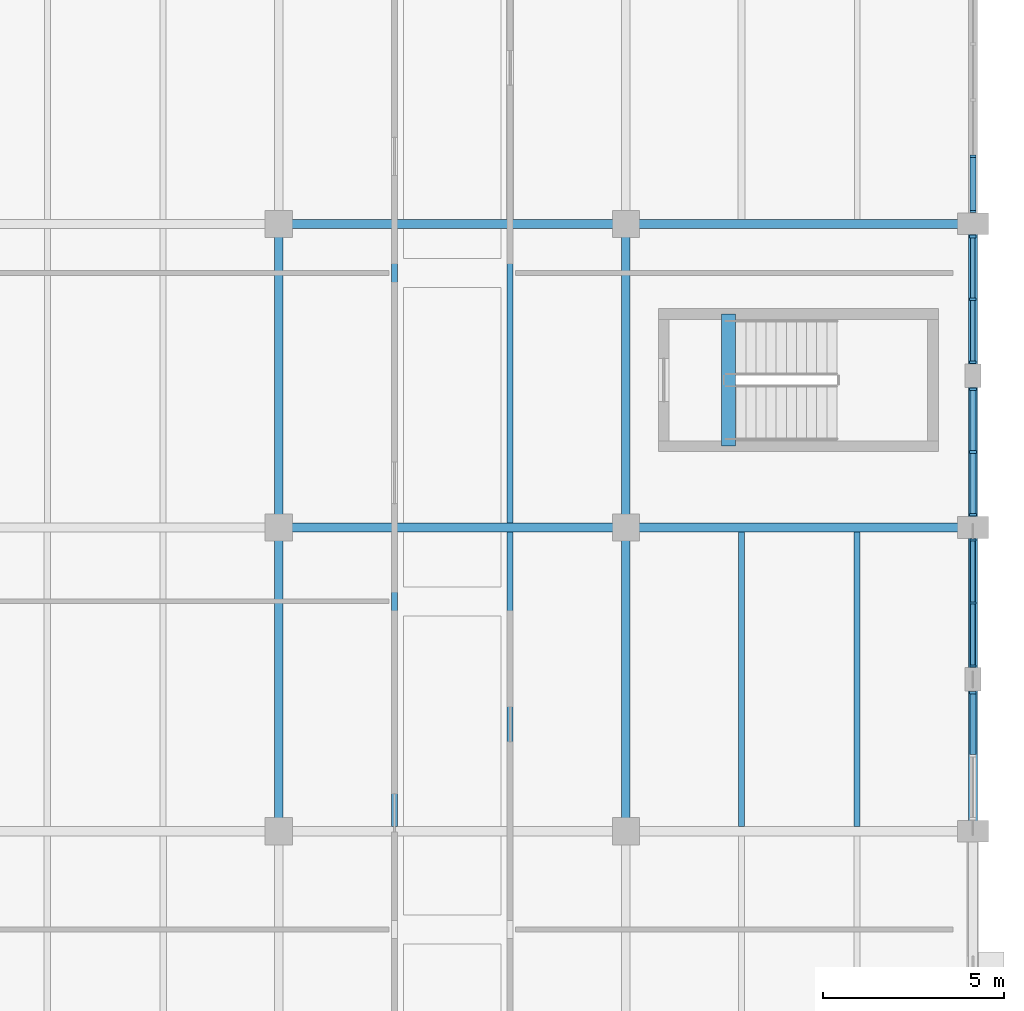
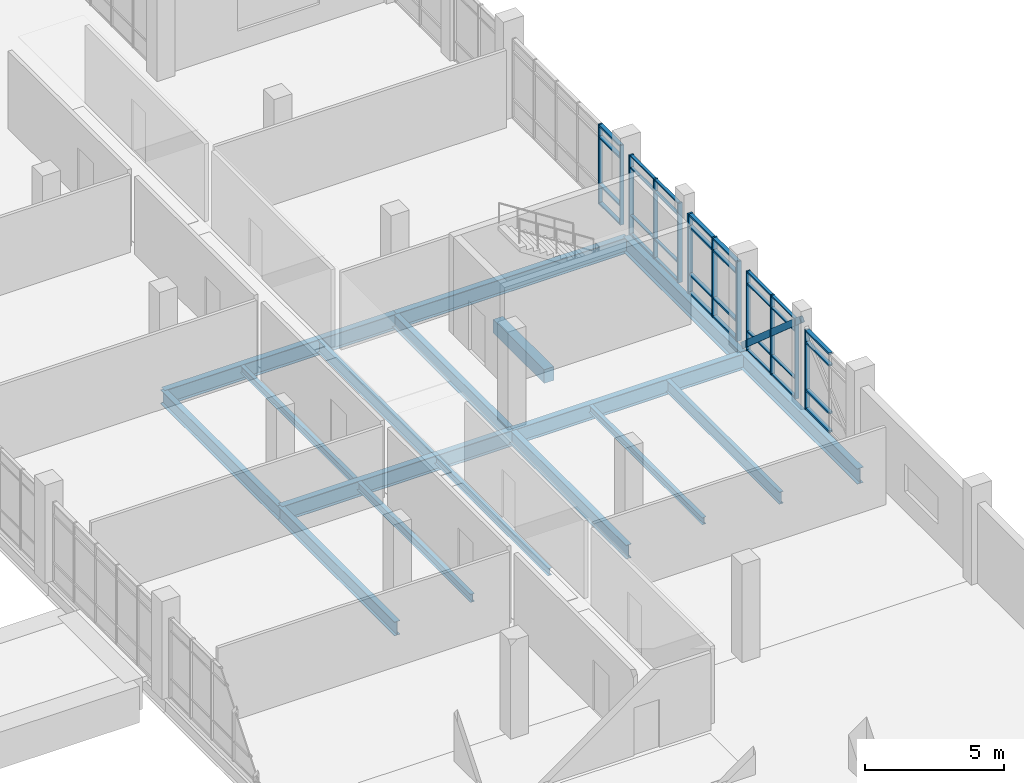
# One storey, part 30 of 86: 45 members, 17 beams, 5 elements without a shape of their own.
"""IFC4 building model written with IfcOpenShell, lengths in metres."""

from ifc_helpers import new_model, si_unit, direction, frame, origin, origin_2d, place, context, subcontext, project, spatial, rectangle, hollow_rectangle, i_section, extrude, material, material_profile, profile_set, type_object, element, aggregate, save


model = new_model("IFC4")

# Units and contexts
model_context = context("Model", 3, precision=1e-05, world=origin(), true_north=direction((0.0, 1.0)))
body_context = subcontext(model_context, "Body", "Model", "MODEL_VIEW")
ifc_project = project(units=[si_unit("LENGTHUNIT", "METRE"), si_unit("AREAUNIT", "SQUARE_METRE"), si_unit("VOLUMEUNIT", "CUBIC_METRE"), si_unit("PLANEANGLEUNIT", "RADIAN"), si_unit("MASSUNIT", "GRAM", prefix="KILO")], contexts=[model_context])

# Site, building, storey
site_placement = place(None, origin())
site = spatial("IfcSite", under=ifc_project, at=site_placement, CompositionType="ELEMENT")
building_placement = place(site_placement, origin())
building = spatial("IfcBuilding", under=site, at=building_placement, Name="Oolite Switchyard Hospital", CompositionType="ELEMENT")
storey_placement = place(building_placement, frame((0.0, 0.0, 13.5)))
storey = spatial("IfcBuildingStorey", under=building, at=storey_placement, Name="L03", CompositionType="ELEMENT", Elevation=13.5)

# Beams
ifc_material_1 = material(Name="Concrete C40/50", Category="concrete")
ifc_material_profile_1 = material_profile(ifc_material_1, rectangle(XDim=0.39990234375, YDim=0.60009765625, at=origin_2d()), Name="RCB400X600")
ifc_profile_set_1 = profile_set([ifc_material_profile_1], Name="Concrete C40/50")
beam_type_1 = type_object("IfcBeamType", Name="BM-RC400X600", PredefinedType="BEAM", material=ifc_profile_set_1)
beam_1_placement = place(storey_placement, frame((204.43994140625, 44.25, -0.300048828125), z_axis=(0.0, 1.0, 0.0), x_axis=(-1.0, 0.0, 0.0)))
element("IfcBeam", 1, at=beam_1_placement, inside=storey, type_object=beam_type_1, Name="L03 ST-06 Stair Throat Trimmer Beam", PredefinedType="BEAM", context=body_context, shape_type="SweptSolid", body=[
    extrude(rectangle(XDim=0.39990234375, YDim=0.60009765625, at=origin_2d()), origin(), (0.0, 0.0, 1.0), 3.659912109375),
])
ifc_material_2 = material(Name="Steel ASTM A992 Grade 50", Category="steel")
ifc_material_profile_2 = material_profile(ifc_material_2, i_section(OverallWidth=0.1650390625, OverallDepth=0.31005859375, WebThickness=0.006103515625, FlangeThickness=0.010009765625, at=origin_2d()), Name="W12X26")
ifc_profile_set_2 = profile_set([ifc_material_profile_2], Name="Steel ASTM A992 Grade 50")
beam_type_2 = type_object("IfcBeamType", Name="BM-W12X26", PredefinedType="JOIST", material=ifc_profile_set_2)
for number, where, z_axis, x_axis, name in (
    (2, (198.39990234375, 33.72705078125, -0.429931640625), (0.0, 1.0, 0.0), (-1.0, 0.0, 0.0), "L03 Secondary Steel Joist 2723"),
    (3, (195.199951171875, 42.126953125, -0.429931640625), (0.0, 1.0, 0.0), (-1.0, 0.0, 0.0), "L03 Secondary Steel Joist 2724"),
    (4, (204.800048828125, 33.72705078125, -0.429931640625), (0.0, 1.0, 0.0), (-1.0, 0.0, 0.0), "L03 Secondary Steel Joist 2742"),
):
    element("IfcBeam", number, at=place(storey_placement, frame(where, z_axis=z_axis, x_axis=x_axis)), inside=storey, type_object=beam_type_2, Name=name, PredefinedType="JOIST", context=body_context, shape_type="SweptSolid", body=[
        extrude(i_section(OverallWidth=0.1650390625, OverallDepth=0.31005859375, WebThickness=0.006103515625, FlangeThickness=0.010009765625, at=origin_2d()), origin(), (0.0, 0.0, 1.0), 8.14599609375),
    ])
ifc_material_profile_3 = material_profile(ifc_material_2, i_section(OverallWidth=0.1708984375, OverallDepth=0.35107421875, WebThickness=0.007080078125, FlangeThickness=0.010009765625, at=origin_2d()), Name="W14X30")
ifc_profile_set_3 = profile_set([ifc_material_profile_3], Name="Steel ASTM A992 Grade 50")
beam_type_3 = type_object("IfcBeamType", Name="BM-W14X30", PredefinedType="JOIST", material=ifc_profile_set_3)
beam_2_placement = place(storey_placement, frame((195.199951171875, 33.72705078125, -0.449951171875), z_axis=(0.0, 1.0, 0.0), x_axis=(-1.0, 0.0, 0.0)))
element("IfcBeam", 5, at=beam_2_placement, inside=storey, type_object=beam_type_3, Name="L03 Secondary Steel Joist 2722", PredefinedType="JOIST", context=body_context, shape_type="SweptSolid", body=[
    extrude(i_section(OverallWidth=0.1708984375, OverallDepth=0.35107421875, WebThickness=0.007080078125, FlangeThickness=0.010009765625, at=origin_2d()), origin(), (0.0, 0.0, 1.0), 8.14599609375),
])
ifc_material_profile_4 = material_profile(ifc_material_2, i_section(OverallWidth=0.166015625, OverallDepth=0.529052734375, WebThickness=0.010009765625, FlangeThickness=0.013916015625, at=origin_2d()), Name="W21X50")
ifc_profile_set_4 = profile_set([ifc_material_profile_4], Name="Steel ASTM A992 Grade 50")
beam_type_4 = type_object("IfcBeamType", Name="BM-W21X50", PredefinedType="JOIST", material=ifc_profile_set_4)
for number, where, z_axis, x_axis, name in (
    (6, (198.39990234375, 42.126953125, -0.5400390625), (0.0, 1.0, 0.0), (-1.0, 0.0, 0.0), "L03 Secondary Steel Joist 2725"),
    (7, (208.0, 33.72705078125, -0.5400390625), (0.0, 1.0, 0.0), (-1.0, 0.0, 0.0), "L03 Secondary Steel Joist 2743"),
):
    element("IfcBeam", number, at=place(storey_placement, frame(where, z_axis=z_axis, x_axis=x_axis)), inside=storey, type_object=beam_type_4, Name=name, PredefinedType="JOIST", context=body_context, shape_type="SweptSolid", body=[
        extrude(i_section(OverallWidth=0.166015625, OverallDepth=0.529052734375, WebThickness=0.010009765625, FlangeThickness=0.013916015625, at=origin_2d()), origin(), (0.0, 0.0, 1.0), 8.14599609375),
    ])
ifc_material_profile_5 = material_profile(ifc_material_2, i_section(OverallWidth=0.22900390625, OverallDepth=0.612060546875, WebThickness=0.011962890625, FlangeThickness=0.02001953125, at=origin_2d()), Name="W24X84")
ifc_profile_set_5 = profile_set([ifc_material_profile_5], Name="Steel ASTM A992 Grade 50")
beam_type_5 = type_object("IfcBeamType", Name="BM-W24X84", PredefinedType="BEAM", material=ifc_profile_set_5)
for number, where, z_axis, x_axis, name in (
    (8, (192.0, 33.60009765625, -0.5810546875), (0.0, 1.0, 0.0), (-1.0, 0.0, 0.0), "L03 Y-Girder 2363"),
    (9, (192.0, 42.0, -0.5810546875), (0.0, 1.0, 0.0), (-1.0, 0.0, 0.0), "L03 Y-Girder 2364"),
    (10, (201.60009765625, 33.60009765625, -0.5810546875), (0.0, 1.0, 0.0), (-1.0, 0.0, 0.0), "L03 Y-Girder 2375"),
    (11, (201.60009765625, 42.0, -0.5810546875), (0.0, 1.0, 0.0), (-1.0, 0.0, 0.0), "L03 Y-Girder 2376"),
):
    element("IfcBeam", number, at=place(storey_placement, frame(where, z_axis=z_axis, x_axis=x_axis)), inside=storey, type_object=beam_type_5, Name=name, PredefinedType="BEAM", context=body_context, shape_type="SweptSolid", body=[
        extrude(i_section(OverallWidth=0.22900390625, OverallDepth=0.612060546875, WebThickness=0.011962890625, FlangeThickness=0.02001953125, at=origin_2d()), origin(), (0.0, 0.0, 1.0), 8.39990234375),
    ])
ifc_material_profile_6 = material_profile(ifc_material_2, i_section(OverallWidth=0.25390625, OverallDepth=0.68408203125, WebThickness=0.011962890625, FlangeThickness=0.01904296875, at=origin_2d()), Name="W27X94")
ifc_profile_set_6 = profile_set([ifc_material_profile_6], Name="Steel ASTM A992 Grade 50")
beam_type_6 = type_object("IfcBeamType", Name="BM-W27X94", PredefinedType="BEAM", material=ifc_profile_set_6)
beam_3_placement = place(storey_placement, frame((192.0, 42.0, -0.616943359375), z_axis=(1.0, 0.0, 0.0), x_axis=(0.0, 1.0, 0.0)))
element("IfcBeam", 12, at=beam_3_placement, inside=storey, type_object=beam_type_6, Name="L03 X-Girder 1973", PredefinedType="BEAM", context=body_context, shape_type="SweptSolid", body=[
    extrude(i_section(OverallWidth=0.25390625, OverallDepth=0.68408203125, WebThickness=0.011962890625, FlangeThickness=0.01904296875, at=origin_2d()), origin(), (0.0, 0.0, 1.0), 9.60009765625),
])
beam_4_placement = place(storey_placement, frame((201.60009765625, 42.0, -0.616943359375), z_axis=(1.0, 0.0, 0.0), x_axis=(0.0, 1.0, 0.0)))
element("IfcBeam", 13, at=beam_4_placement, inside=storey, type_object=beam_type_6, Name="L03 X-Girder 1974", PredefinedType="BEAM", context=body_context, shape_type="SweptSolid", body=[
    extrude(i_section(OverallWidth=0.25390625, OverallDepth=0.68408203125, WebThickness=0.011962890625, FlangeThickness=0.01904296875, at=origin_2d()), origin(), (0.0, 0.0, 1.0), 9.599853515625),
])
beam_5_placement = place(storey_placement, frame((192.0, 50.39990234375, -0.616943359375), z_axis=(1.0, 0.0, 0.0), x_axis=(0.0, 1.0, 0.0)))
element("IfcBeam", 14, at=beam_5_placement, inside=storey, type_object=beam_type_6, Name="L03 X-Girder 1989", PredefinedType="BEAM", context=body_context, shape_type="SweptSolid", body=[
    extrude(i_section(OverallWidth=0.25390625, OverallDepth=0.68408203125, WebThickness=0.011962890625, FlangeThickness=0.01904296875, at=origin_2d()), origin(), (0.0, 0.0, 1.0), 9.60009765625),
])
beam_6_placement = place(storey_placement, frame((201.60009765625, 50.39990234375, -0.616943359375), z_axis=(1.0, 0.0, 0.0), x_axis=(0.0, 1.0, 0.0)))
element("IfcBeam", 15, at=beam_6_placement, inside=storey, type_object=beam_type_6, Name="L03 X-Girder 1990", PredefinedType="BEAM", context=body_context, shape_type="SweptSolid", body=[
    extrude(i_section(OverallWidth=0.25390625, OverallDepth=0.68408203125, WebThickness=0.011962890625, FlangeThickness=0.01904296875, at=origin_2d()), origin(), (0.0, 0.0, 1.0), 9.599853515625),
])
for number, where, z_axis, x_axis, name in (
    (16, (211.199951171875, 33.60009765625, -0.616943359375), (0.0, 1.0, 0.0), (-1.0, 0.0, 0.0), "L03 Y-Girder 2386"),
    (17, (211.199951171875, 42.0, -0.616943359375), (0.0, 1.0, 0.0), (-1.0, 0.0, 0.0), "L03 Y-Girder 2387"),
):
    element("IfcBeam", number, at=place(storey_placement, frame(where, z_axis=z_axis, x_axis=x_axis)), inside=storey, type_object=beam_type_6, Name=name, PredefinedType="BEAM", context=body_context, shape_type="SweptSolid", body=[
        extrude(i_section(OverallWidth=0.25390625, OverallDepth=0.68408203125, WebThickness=0.011962890625, FlangeThickness=0.01904296875, at=origin_2d()), origin(), (0.0, 0.0, 1.0), 8.39990234375),
    ])

# Curtain wall, members
ifc_material_3 = material(Name="Thermally broken aluminum frame with laminated impact glazing", Category="aluminium")
curtain_wall_type = type_object("IfcCurtainWallType", Name="CW-UNIT-84X43", PredefinedType="USERDEFINED", material=ifc_material_3)
curtain_wall_1_placement = place(storey_placement, origin())
curtain_wall_1 = element("IfcCurtainWall", 18, at=curtain_wall_1_placement, inside=storey, type_object=curtain_wall_type, Name="L03 Unitised Curtain Wall 351", ObjectType="UNITISED", PredefinedType="USERDEFINED")
ifc_material_4 = material(Name="Aluminium 6063-T6", Category="aluminium")
ifc_material_profile_7 = material_profile(ifc_material_4, rectangle(XDim=0.159912109375, YDim=0.06005859375, at=origin_2d()), Name="CWM60X160")
ifc_profile_set_7 = profile_set([ifc_material_profile_7], Name="Aluminium 6063-T6")
member_type_1 = type_object("IfcMemberType", Name="CW-MUL-180", PredefinedType="MULLION", material=ifc_profile_set_7)
member_1_placement = place(storey_placement, frame((211.199951171875, 52.26904296875, 0.0), z_axis=(0.0, 0.0, 1.0), x_axis=(1.0, 0.0, 0.0)))
member_1 = element("IfcMember", 19, at=member_1_placement, type_object=member_type_1, Name="CW-09 mullion 5", PredefinedType="MULLION", context=body_context, shape_type="SweptSolid", body=[
    extrude(rectangle(XDim=0.159912109375, YDim=0.06005859375, at=origin_2d()), origin(), (0.0, 0.0, 1.0), 3.489990234375),
])
member_2_placement = place(storey_placement, frame((211.199951171875, 50.7451171875, 0.0), z_axis=(0.0, 0.0, 1.0), x_axis=(1.0, 0.0, 0.0)))
member_2 = element("IfcMember", 20, at=member_2_placement, type_object=member_type_1, Name="CW-09 mullion 6", PredefinedType="MULLION", context=body_context, shape_type="SweptSolid", body=[
    extrude(rectangle(XDim=0.159912109375, YDim=0.06005859375, at=origin_2d()), origin(), (0.0, 0.0, 1.0), 3.489990234375),
])

curtain_wall_2_placement = place(storey_placement, origin())
curtain_wall_2 = element("IfcCurtainWall", 21, at=curtain_wall_2_placement, inside=storey, type_object=curtain_wall_type, Name="L03 Unitised Curtain Wall 354", ObjectType="UNITISED", PredefinedType="USERDEFINED")
member_3_placement = place(storey_placement, frame((211.199951171875, 41.655029296875, 0.0), z_axis=(0.0, 0.0, 1.0), x_axis=(1.0, 0.0, 0.0)))
member_3 = element("IfcMember", 22, at=member_3_placement, type_object=member_type_1, Name="CW-09 mullion 1", PredefinedType="MULLION", context=body_context, shape_type="SweptSolid", body=[
    extrude(rectangle(XDim=0.159912109375, YDim=0.06005859375, at=origin_2d()), origin(), (0.0, 0.0, 1.0), 3.489990234375),
])
member_4_placement = place(storey_placement, frame((211.199951171875, 39.91259765625, 0.0), z_axis=(0.0, 0.0, 1.0), x_axis=(1.0, 0.0, 0.0)))
member_4 = element("IfcMember", 23, at=member_4_placement, type_object=member_type_1, Name="CW-09 mullion 2", PredefinedType="MULLION", context=body_context, shape_type="SweptSolid", body=[
    extrude(rectangle(XDim=0.159912109375, YDim=0.06005859375, at=origin_2d()), origin(), (0.0, 0.0, 1.0), 3.489990234375),
])
member_5_placement = place(storey_placement, frame((211.199951171875, 38.169921875, 0.0), z_axis=(0.0, 0.0, 1.0), x_axis=(1.0, 0.0, 0.0)))
member_5 = element("IfcMember", 24, at=member_5_placement, type_object=member_type_1, Name="CW-09 mullion 3", PredefinedType="MULLION", context=body_context, shape_type="SweptSolid", body=[
    extrude(rectangle(XDim=0.159912109375, YDim=0.06005859375, at=origin_2d()), origin(), (0.0, 0.0, 1.0), 3.489990234375),
])

curtain_wall_3_placement = place(storey_placement, origin())
curtain_wall_3 = element("IfcCurtainWall", 25, at=curtain_wall_3_placement, inside=storey, type_object=curtain_wall_type, Name="L03 Unitised Curtain Wall 352", ObjectType="UNITISED", PredefinedType="USERDEFINED")
ifc_material_profile_8 = material_profile(ifc_material_4, rectangle(XDim=0.179931640625, YDim=0.070068359375, at=origin_2d()), Name="CWM70X180")
ifc_profile_set_8 = profile_set([ifc_material_profile_8], Name="Aluminium 6063-T6")
member_type_2 = type_object("IfcMemberType", Name="CW-MUL-220", PredefinedType="MULLION", material=ifc_profile_set_8)
member_6_placement = place(storey_placement, frame((211.199951171875, 50.050048828125, 0.0), z_axis=(0.0, 0.0, 1.0), x_axis=(1.0, 0.0, 0.0)))
member_6 = element("IfcMember", 26, at=member_6_placement, type_object=member_type_2, Name="CW-09 mullion 1", PredefinedType="MULLION", context=body_context, shape_type="SweptSolid", body=[
    extrude(rectangle(XDim=0.179931640625, YDim=0.070068359375, at=origin_2d()), origin(), (0.0, 0.0, 1.0), 3.489990234375),
])
member_7_placement = place(storey_placement, frame((211.199951171875, 48.3125, 0.0), z_axis=(0.0, 0.0, 1.0), x_axis=(1.0, 0.0, 0.0)))
member_7 = element("IfcMember", 27, at=member_7_placement, type_object=member_type_2, Name="CW-09 mullion 2", PredefinedType="MULLION", context=body_context, shape_type="SweptSolid", body=[
    extrude(rectangle(XDim=0.179931640625, YDim=0.070068359375, at=origin_2d()), origin(), (0.0, 0.0, 1.0), 3.489990234375),
])
member_8_placement = place(storey_placement, frame((211.199951171875, 46.574951171875, 0.0), z_axis=(0.0, 0.0, 1.0), x_axis=(1.0, 0.0, 0.0)))
member_8 = element("IfcMember", 28, at=member_8_placement, type_object=member_type_2, Name="CW-09 mullion 3", PredefinedType="MULLION", context=body_context, shape_type="SweptSolid", body=[
    extrude(rectangle(XDim=0.179931640625, YDim=0.070068359375, at=origin_2d()), origin(), (0.0, 0.0, 1.0), 3.489990234375),
])

# Curtain wall, member
curtain_wall_4_placement = place(storey_placement, origin())
curtain_wall_4 = element("IfcCurtainWall", 29, at=curtain_wall_4_placement, inside=storey, type_object=curtain_wall_type, Name="L03 Unitised Curtain Wall 355", ObjectType="UNITISED", PredefinedType="USERDEFINED")
member_9_placement = place(storey_placement, frame((211.199951171875, 37.425048828125, 0.0), z_axis=(0.0, 0.0, 1.0), x_axis=(1.0, 0.0, 0.0)))
member_9 = element("IfcMember", 30, at=member_9_placement, type_object=member_type_2, Name="CW-09 mullion 1", PredefinedType="MULLION", context=body_context, shape_type="SweptSolid", body=[
    extrude(rectangle(XDim=0.179931640625, YDim=0.070068359375, at=origin_2d()), origin(), (0.0, 0.0, 1.0), 3.489990234375),
])

# Curtain wall, members
curtain_wall_5_placement = place(storey_placement, origin())
curtain_wall_5 = element("IfcCurtainWall", 31, at=curtain_wall_5_placement, inside=storey, type_object=curtain_wall_type, Name="L03 Unitised Curtain Wall 353", ObjectType="UNITISED", PredefinedType="USERDEFINED")
ifc_material_profile_9 = material_profile(ifc_material_4, rectangle(XDim=0.199951171875, YDim=0.074951171875, at=origin_2d()), Name="CWM75X200")
ifc_profile_set_9 = profile_set([ifc_material_profile_9], Name="Aluminium 6063-T6")
member_type_3 = type_object("IfcMemberType", Name="CW-MUL-260", PredefinedType="MULLION", material=ifc_profile_set_9)
member_10_placement = place(storey_placement, frame((211.199951171875, 45.822509765625, 0.0), z_axis=(0.0, 0.0, 1.0), x_axis=(1.0, 0.0, 0.0)))
member_10 = element("IfcMember", 32, at=member_10_placement, type_object=member_type_3, Name="CW-09 mullion 1", PredefinedType="MULLION", context=body_context, shape_type="SweptSolid", body=[
    extrude(rectangle(XDim=0.199951171875, YDim=0.074951171875, at=origin_2d()), origin(), (0.0, 0.0, 1.0), 3.489990234375),
])
member_11_placement = place(storey_placement, frame((211.199951171875, 44.08740234375, 0.0), z_axis=(0.0, 0.0, 1.0), x_axis=(1.0, 0.0, 0.0)))
member_11 = element("IfcMember", 33, at=member_11_placement, type_object=member_type_3, Name="CW-09 mullion 2", PredefinedType="MULLION", context=body_context, shape_type="SweptSolid", body=[
    extrude(rectangle(XDim=0.199951171875, YDim=0.074951171875, at=origin_2d()), origin(), (0.0, 0.0, 1.0), 3.489990234375),
])
member_12_placement = place(storey_placement, frame((211.199951171875, 42.3525390625, 0.0), z_axis=(0.0, 0.0, 1.0), x_axis=(1.0, 0.0, 0.0)))
member_12 = element("IfcMember", 34, at=member_12_placement, type_object=member_type_3, Name="CW-09 mullion 3", PredefinedType="MULLION", context=body_context, shape_type="SweptSolid", body=[
    extrude(rectangle(XDim=0.199951171875, YDim=0.074951171875, at=origin_2d()), origin(), (0.0, 0.0, 1.0), 3.489990234375),
])

# Member
ifc_material_profile_10 = material_profile(ifc_material_4, rectangle(XDim=0.1201171875, YDim=0.06005859375, at=origin_2d()), Name="CWT60X120")
ifc_profile_set_10 = profile_set([ifc_material_profile_10], Name="Aluminium 6063-T6")
member_type_4 = type_object("IfcMemberType", Name="CW-TRN-150", PredefinedType="USERDEFINED", material=ifc_profile_set_10)
member_13_placement = place(storey_placement, frame((211.199951171875, 50.014892578125, 0.030029296875), z_axis=(0.0, -1.0, 0.0), x_axis=(1.0, 0.0, 0.0)))
member_13 = element("IfcMember", 35, at=member_13_placement, type_object=member_type_4, Name="CW-09 transom 1.1", ObjectType="TRANSOM", PredefinedType="USERDEFINED", context=body_context, shape_type="SweptSolid", body=[
    extrude(rectangle(XDim=0.1201171875, YDim=0.06005859375, at=origin_2d()), origin(), (0.0, 0.0, 1.0), 1.66748046875),
])

member_14_placement = place(storey_placement, frame((211.199951171875, 50.014892578125, 0.85009765625), z_axis=(0.0, -1.0, 0.0), x_axis=(1.0, 0.0, 0.0)))
member_14 = element("IfcMember", 36, at=member_14_placement, type_object=member_type_4, Name="CW-09 transom 1.2", ObjectType="TRANSOM", PredefinedType="USERDEFINED", context=body_context, shape_type="SweptSolid", body=[
    extrude(rectangle(XDim=0.1201171875, YDim=0.06005859375, at=origin_2d()), origin(), (0.0, 0.0, 1.0), 1.66748046875),
])

member_15_placement = place(storey_placement, frame((211.199951171875, 50.014892578125, 2.93994140625), z_axis=(0.0, -1.0, 0.0), x_axis=(1.0, 0.0, 0.0)))
member_15 = element("IfcMember", 37, at=member_15_placement, type_object=member_type_4, Name="CW-09 transom 1.3", ObjectType="TRANSOM", PredefinedType="USERDEFINED", context=body_context, shape_type="SweptSolid", body=[
    extrude(rectangle(XDim=0.1201171875, YDim=0.06005859375, at=origin_2d()), origin(), (0.0, 0.0, 1.0), 1.66748046875),
])

member_16_placement = place(storey_placement, frame((211.199951171875, 50.014892578125, 3.4599609375), z_axis=(0.0, -1.0, 0.0), x_axis=(1.0, 0.0, 0.0)))
member_16 = element("IfcMember", 38, at=member_16_placement, type_object=member_type_4, Name="CW-09 transom 1.4", ObjectType="TRANSOM", PredefinedType="USERDEFINED", context=body_context, shape_type="SweptSolid", body=[
    extrude(rectangle(XDim=0.1201171875, YDim=0.06005859375, at=origin_2d()), origin(), (0.0, 0.0, 1.0), 1.66748046875),
])

member_17_placement = place(storey_placement, frame((211.199951171875, 48.277587890625, 0.030029296875), z_axis=(0.0, -1.0, 0.0), x_axis=(1.0, 0.0, 0.0)))
member_17 = element("IfcMember", 39, at=member_17_placement, type_object=member_type_4, Name="CW-09 transom 2.1", ObjectType="TRANSOM", PredefinedType="USERDEFINED", context=body_context, shape_type="SweptSolid", body=[
    extrude(rectangle(XDim=0.1201171875, YDim=0.06005859375, at=origin_2d()), origin(), (0.0, 0.0, 1.0), 1.66748046875),
])

member_18_placement = place(storey_placement, frame((211.199951171875, 48.277587890625, 0.85009765625), z_axis=(0.0, -1.0, 0.0), x_axis=(1.0, 0.0, 0.0)))
member_18 = element("IfcMember", 40, at=member_18_placement, type_object=member_type_4, Name="CW-09 transom 2.2", ObjectType="TRANSOM", PredefinedType="USERDEFINED", context=body_context, shape_type="SweptSolid", body=[
    extrude(rectangle(XDim=0.1201171875, YDim=0.06005859375, at=origin_2d()), origin(), (0.0, 0.0, 1.0), 1.66748046875),
])

member_19_placement = place(storey_placement, frame((211.199951171875, 48.277587890625, 2.93994140625), z_axis=(0.0, -1.0, 0.0), x_axis=(1.0, 0.0, 0.0)))
member_19 = element("IfcMember", 41, at=member_19_placement, type_object=member_type_4, Name="CW-09 transom 2.3", ObjectType="TRANSOM", PredefinedType="USERDEFINED", context=body_context, shape_type="SweptSolid", body=[
    extrude(rectangle(XDim=0.1201171875, YDim=0.06005859375, at=origin_2d()), origin(), (0.0, 0.0, 1.0), 1.66748046875),
])

member_20_placement = place(storey_placement, frame((211.199951171875, 48.277587890625, 3.4599609375), z_axis=(0.0, -1.0, 0.0), x_axis=(1.0, 0.0, 0.0)))
member_20 = element("IfcMember", 42, at=member_20_placement, type_object=member_type_4, Name="CW-09 transom 2.4", ObjectType="TRANSOM", PredefinedType="USERDEFINED", context=body_context, shape_type="SweptSolid", body=[
    extrude(rectangle(XDim=0.1201171875, YDim=0.06005859375, at=origin_2d()), origin(), (0.0, 0.0, 1.0), 1.66748046875),
])

aggregate(curtain_wall_3, [member_6, member_7, member_8, member_13, member_14, member_15, member_16, member_17, member_18, member_19, member_20])

member_21_placement = place(storey_placement, frame((211.199951171875, 41.625, 0.030029296875), z_axis=(0.0, -1.0, 0.0), x_axis=(1.0, 0.0, 0.0)))
member_21 = element("IfcMember", 43, at=member_21_placement, type_object=member_type_4, Name="CW-09 transom 1.1", ObjectType="TRANSOM", PredefinedType="USERDEFINED", context=body_context, shape_type="SweptSolid", body=[
    extrude(rectangle(XDim=0.1201171875, YDim=0.06005859375, at=origin_2d()), origin(), (0.0, 0.0, 1.0), 1.6826171875),
])

member_22_placement = place(storey_placement, frame((211.199951171875, 41.625, 0.85009765625), z_axis=(0.0, -1.0, 0.0), x_axis=(1.0, 0.0, 0.0)))
member_22 = element("IfcMember", 44, at=member_22_placement, type_object=member_type_4, Name="CW-09 transom 1.2", ObjectType="TRANSOM", PredefinedType="USERDEFINED", context=body_context, shape_type="SweptSolid", body=[
    extrude(rectangle(XDim=0.1201171875, YDim=0.06005859375, at=origin_2d()), origin(), (0.0, 0.0, 1.0), 1.6826171875),
])

member_23_placement = place(storey_placement, frame((211.199951171875, 41.625, 2.93994140625), z_axis=(0.0, -1.0, 0.0), x_axis=(1.0, 0.0, 0.0)))
member_23 = element("IfcMember", 45, at=member_23_placement, type_object=member_type_4, Name="CW-09 transom 1.3", ObjectType="TRANSOM", PredefinedType="USERDEFINED", context=body_context, shape_type="SweptSolid", body=[
    extrude(rectangle(XDim=0.1201171875, YDim=0.06005859375, at=origin_2d()), origin(), (0.0, 0.0, 1.0), 1.6826171875),
])

member_24_placement = place(storey_placement, frame((211.199951171875, 41.625, 3.4599609375), z_axis=(0.0, -1.0, 0.0), x_axis=(1.0, 0.0, 0.0)))
member_24 = element("IfcMember", 46, at=member_24_placement, type_object=member_type_4, Name="CW-09 transom 1.4", ObjectType="TRANSOM", PredefinedType="USERDEFINED", context=body_context, shape_type="SweptSolid", body=[
    extrude(rectangle(XDim=0.1201171875, YDim=0.06005859375, at=origin_2d()), origin(), (0.0, 0.0, 1.0), 1.6826171875),
])

member_25_placement = place(storey_placement, frame((211.199951171875, 39.882568359375, 0.030029296875), z_axis=(0.0, -1.0, 0.0), x_axis=(1.0, 0.0, 0.0)))
member_25 = element("IfcMember", 47, at=member_25_placement, type_object=member_type_4, Name="CW-09 transom 2.1", ObjectType="TRANSOM", PredefinedType="USERDEFINED", context=body_context, shape_type="SweptSolid", body=[
    extrude(rectangle(XDim=0.1201171875, YDim=0.06005859375, at=origin_2d()), origin(), (0.0, 0.0, 1.0), 1.6826171875),
])

member_26_placement = place(storey_placement, frame((211.199951171875, 39.882568359375, 0.85009765625), z_axis=(0.0, -1.0, 0.0), x_axis=(1.0, 0.0, 0.0)))
member_26 = element("IfcMember", 48, at=member_26_placement, type_object=member_type_4, Name="CW-09 transom 2.2", ObjectType="TRANSOM", PredefinedType="USERDEFINED", context=body_context, shape_type="SweptSolid", body=[
    extrude(rectangle(XDim=0.1201171875, YDim=0.06005859375, at=origin_2d()), origin(), (0.0, 0.0, 1.0), 1.6826171875),
])

member_27_placement = place(storey_placement, frame((211.199951171875, 39.882568359375, 2.93994140625), z_axis=(0.0, -1.0, 0.0), x_axis=(1.0, 0.0, 0.0)))
member_27 = element("IfcMember", 49, at=member_27_placement, type_object=member_type_4, Name="CW-09 transom 2.3", ObjectType="TRANSOM", PredefinedType="USERDEFINED", context=body_context, shape_type="SweptSolid", body=[
    extrude(rectangle(XDim=0.1201171875, YDim=0.06005859375, at=origin_2d()), origin(), (0.0, 0.0, 1.0), 1.6826171875),
])

member_28_placement = place(storey_placement, frame((211.199951171875, 39.882568359375, 3.4599609375), z_axis=(0.0, -1.0, 0.0), x_axis=(1.0, 0.0, 0.0)))
member_28 = element("IfcMember", 50, at=member_28_placement, type_object=member_type_4, Name="CW-09 transom 2.4", ObjectType="TRANSOM", PredefinedType="USERDEFINED", context=body_context, shape_type="SweptSolid", body=[
    extrude(rectangle(XDim=0.1201171875, YDim=0.06005859375, at=origin_2d()), origin(), (0.0, 0.0, 1.0), 1.6826171875),
])

aggregate(curtain_wall_2, [member_3, member_4, member_5, member_21, member_22, member_23, member_24, member_25, member_26, member_27, member_28])

ifc_material_profile_11 = material_profile(ifc_material_4, rectangle(XDim=0.159912109375, YDim=0.074951171875, at=origin_2d()), Name="CWT75X160")
ifc_profile_set_11 = profile_set([ifc_material_profile_11], Name="Aluminium 6063-T6")
member_type_5 = type_object("IfcMemberType", Name="CW-TRN-180", PredefinedType="USERDEFINED", material=ifc_profile_set_11)
member_29_placement = place(storey_placement, frame((211.199951171875, 52.239013671875, 0.03759765625), z_axis=(0.0, -1.0, 0.0), x_axis=(1.0, 0.0, 0.0)))
member_29 = element("IfcMember", 51, at=member_29_placement, type_object=member_type_5, Name="CW-09 transom 5.1", ObjectType="TRANSOM", PredefinedType="USERDEFINED", context=body_context, shape_type="SweptSolid", body=[
    extrude(rectangle(XDim=0.159912109375, YDim=0.074951171875, at=origin_2d()), origin(), (0.0, 0.0, 1.0), 1.464111328125),
])

member_30_placement = place(storey_placement, frame((211.199951171875, 52.239013671875, 0.85009765625), z_axis=(0.0, -1.0, 0.0), x_axis=(1.0, 0.0, 0.0)))
member_30 = element("IfcMember", 52, at=member_30_placement, type_object=member_type_5, Name="CW-09 transom 5.2", ObjectType="TRANSOM", PredefinedType="USERDEFINED", context=body_context, shape_type="SweptSolid", body=[
    extrude(rectangle(XDim=0.159912109375, YDim=0.074951171875, at=origin_2d()), origin(), (0.0, 0.0, 1.0), 1.464111328125),
])

member_31_placement = place(storey_placement, frame((211.199951171875, 52.239013671875, 2.93994140625), z_axis=(0.0, -1.0, 0.0), x_axis=(1.0, 0.0, 0.0)))
member_31 = element("IfcMember", 53, at=member_31_placement, type_object=member_type_5, Name="CW-09 transom 5.3", ObjectType="TRANSOM", PredefinedType="USERDEFINED", context=body_context, shape_type="SweptSolid", body=[
    extrude(rectangle(XDim=0.159912109375, YDim=0.074951171875, at=origin_2d()), origin(), (0.0, 0.0, 1.0), 1.464111328125),
])

member_32_placement = place(storey_placement, frame((211.199951171875, 52.239013671875, 3.452392578125), z_axis=(0.0, -1.0, 0.0), x_axis=(1.0, 0.0, 0.0)))
member_32 = element("IfcMember", 54, at=member_32_placement, type_object=member_type_5, Name="CW-09 transom 5.4", ObjectType="TRANSOM", PredefinedType="USERDEFINED", context=body_context, shape_type="SweptSolid", body=[
    extrude(rectangle(XDim=0.159912109375, YDim=0.074951171875, at=origin_2d()), origin(), (0.0, 0.0, 1.0), 1.464111328125),
])

aggregate(curtain_wall_1, [member_1, member_2, member_29, member_30, member_31, member_32])

member_33_placement = place(storey_placement, frame((211.199951171875, 45.784912109375, 0.03759765625), z_axis=(0.0, -1.0, 0.0), x_axis=(1.0, 0.0, 0.0)))
member_33 = element("IfcMember", 55, at=member_33_placement, type_object=member_type_5, Name="CW-09 transom 1.1", ObjectType="TRANSOM", PredefinedType="USERDEFINED", context=body_context, shape_type="SweptSolid", body=[
    extrude(rectangle(XDim=0.159912109375, YDim=0.074951171875, at=origin_2d()), origin(), (0.0, 0.0, 1.0), 1.659912109375),
])

member_34_placement = place(storey_placement, frame((211.199951171875, 45.784912109375, 0.85009765625), z_axis=(0.0, -1.0, 0.0), x_axis=(1.0, 0.0, 0.0)))
member_34 = element("IfcMember", 56, at=member_34_placement, type_object=member_type_5, Name="CW-09 transom 1.2", ObjectType="TRANSOM", PredefinedType="USERDEFINED", context=body_context, shape_type="SweptSolid", body=[
    extrude(rectangle(XDim=0.159912109375, YDim=0.074951171875, at=origin_2d()), origin(), (0.0, 0.0, 1.0), 1.659912109375),
])

member_35_placement = place(storey_placement, frame((211.199951171875, 45.784912109375, 2.93994140625), z_axis=(0.0, -1.0, 0.0), x_axis=(1.0, 0.0, 0.0)))
member_35 = element("IfcMember", 57, at=member_35_placement, type_object=member_type_5, Name="CW-09 transom 1.3", ObjectType="TRANSOM", PredefinedType="USERDEFINED", context=body_context, shape_type="SweptSolid", body=[
    extrude(rectangle(XDim=0.159912109375, YDim=0.074951171875, at=origin_2d()), origin(), (0.0, 0.0, 1.0), 1.659912109375),
])

member_36_placement = place(storey_placement, frame((211.199951171875, 45.784912109375, 3.452392578125), z_axis=(0.0, -1.0, 0.0), x_axis=(1.0, 0.0, 0.0)))
member_36 = element("IfcMember", 58, at=member_36_placement, type_object=member_type_5, Name="CW-09 transom 1.4", ObjectType="TRANSOM", PredefinedType="USERDEFINED", context=body_context, shape_type="SweptSolid", body=[
    extrude(rectangle(XDim=0.159912109375, YDim=0.074951171875, at=origin_2d()), origin(), (0.0, 0.0, 1.0), 1.659912109375),
])

member_37_placement = place(storey_placement, frame((211.199951171875, 44.050048828125, 0.03759765625), z_axis=(0.0, -1.0, 0.0), x_axis=(1.0, 0.0, 0.0)))
member_37 = element("IfcMember", 59, at=member_37_placement, type_object=member_type_5, Name="CW-09 transom 2.1", ObjectType="TRANSOM", PredefinedType="USERDEFINED", context=body_context, shape_type="SweptSolid", body=[
    extrude(rectangle(XDim=0.159912109375, YDim=0.074951171875, at=origin_2d()), origin(), (0.0, 0.0, 1.0), 1.66015625),
])

member_38_placement = place(storey_placement, frame((211.199951171875, 44.050048828125, 0.85009765625), z_axis=(0.0, -1.0, 0.0), x_axis=(1.0, 0.0, 0.0)))
member_38 = element("IfcMember", 60, at=member_38_placement, type_object=member_type_5, Name="CW-09 transom 2.2", ObjectType="TRANSOM", PredefinedType="USERDEFINED", context=body_context, shape_type="SweptSolid", body=[
    extrude(rectangle(XDim=0.159912109375, YDim=0.074951171875, at=origin_2d()), origin(), (0.0, 0.0, 1.0), 1.66015625),
])

member_39_placement = place(storey_placement, frame((211.199951171875, 44.050048828125, 2.93994140625), z_axis=(0.0, -1.0, 0.0), x_axis=(1.0, 0.0, 0.0)))
member_39 = element("IfcMember", 61, at=member_39_placement, type_object=member_type_5, Name="CW-09 transom 2.3", ObjectType="TRANSOM", PredefinedType="USERDEFINED", context=body_context, shape_type="SweptSolid", body=[
    extrude(rectangle(XDim=0.159912109375, YDim=0.074951171875, at=origin_2d()), origin(), (0.0, 0.0, 1.0), 1.66015625),
])

member_40_placement = place(storey_placement, frame((211.199951171875, 44.050048828125, 3.452392578125), z_axis=(0.0, -1.0, 0.0), x_axis=(1.0, 0.0, 0.0)))
member_40 = element("IfcMember", 62, at=member_40_placement, type_object=member_type_5, Name="CW-09 transom 2.4", ObjectType="TRANSOM", PredefinedType="USERDEFINED", context=body_context, shape_type="SweptSolid", body=[
    extrude(rectangle(XDim=0.159912109375, YDim=0.074951171875, at=origin_2d()), origin(), (0.0, 0.0, 1.0), 1.66015625),
])

aggregate(curtain_wall_5, [member_10, member_11, member_12, member_33, member_34, member_35, member_36, member_37, member_38, member_39, member_40])

member_41_placement = place(storey_placement, frame((211.199951171875, 37.389892578125, 0.03759765625), z_axis=(0.0, -1.0, 0.0), x_axis=(1.0, 0.0, 0.0)))
member_41 = element("IfcMember", 63, at=member_41_placement, type_object=member_type_5, Name="CW-09 transom 1.1", ObjectType="TRANSOM", PredefinedType="USERDEFINED", context=body_context, shape_type="SweptSolid", body=[
    extrude(rectangle(XDim=0.159912109375, YDim=0.074951171875, at=origin_2d()), origin(), (0.0, 0.0, 1.0), 1.66748046875),
])

member_42_placement = place(storey_placement, frame((211.199951171875, 37.389892578125, 0.85009765625), z_axis=(0.0, -1.0, 0.0), x_axis=(1.0, 0.0, 0.0)))
member_42 = element("IfcMember", 64, at=member_42_placement, type_object=member_type_5, Name="CW-09 transom 1.2", ObjectType="TRANSOM", PredefinedType="USERDEFINED", context=body_context, shape_type="SweptSolid", body=[
    extrude(rectangle(XDim=0.159912109375, YDim=0.074951171875, at=origin_2d()), origin(), (0.0, 0.0, 1.0), 1.66748046875),
])

member_43_placement = place(storey_placement, frame((211.199951171875, 37.389892578125, 2.93994140625), z_axis=(0.0, -1.0, 0.0), x_axis=(1.0, 0.0, 0.0)))
member_43 = element("IfcMember", 65, at=member_43_placement, type_object=member_type_5, Name="CW-09 transom 1.3", ObjectType="TRANSOM", PredefinedType="USERDEFINED", context=body_context, shape_type="SweptSolid", body=[
    extrude(rectangle(XDim=0.159912109375, YDim=0.074951171875, at=origin_2d()), origin(), (0.0, 0.0, 1.0), 1.66748046875),
])

member_44_placement = place(storey_placement, frame((211.199951171875, 37.389892578125, 3.452392578125), z_axis=(0.0, -1.0, 0.0), x_axis=(1.0, 0.0, 0.0)))
member_44 = element("IfcMember", 66, at=member_44_placement, type_object=member_type_5, Name="CW-09 transom 1.4", ObjectType="TRANSOM", PredefinedType="USERDEFINED", context=body_context, shape_type="SweptSolid", body=[
    extrude(rectangle(XDim=0.159912109375, YDim=0.074951171875, at=origin_2d()), origin(), (0.0, 0.0, 1.0), 1.66748046875),
])

aggregate(curtain_wall_4, [member_9, member_41, member_42, member_43, member_44])

ifc_material_5 = material(Name="Steel ASTM A500 Grade C", Category="steel")
ifc_material_profile_12 = material_profile(ifc_material_5, hollow_rectangle(XDim=0.152099609375, YDim=0.25390625, WallThickness=0.012939453125, at=origin_2d()), Name="HSS254X152X13")
ifc_profile_set_12 = profile_set([ifc_material_profile_12], Name="Steel ASTM A500 Grade C")
member_type_6 = type_object("IfcMemberType", Name="MEM-BR-RHS254", PredefinedType="BRACE", material=ifc_profile_set_12)
member_45_placement = place(storey_placement, frame((211.199951171875, 42.0, 0.02001953125), z_axis=(0.0, -0.752135057976, 0.659008994296), x_axis=(1.0, 0.0, 0.0)))
element("IfcMember", 67, at=member_45_placement, inside=storey, type_object=member_type_6, Name="L03 Chevron Brace 78", PredefinedType="BRACE", context=body_context, shape_type="SweptSolid", body=[
    extrude(hollow_rectangle(XDim=0.152099609375, YDim=0.25390625, WallThickness=0.012939453125, at=origin_2d()), origin(), (0.0, 0.0, 1.0), 5.583984375),
])

save(model, "model.ifc")
